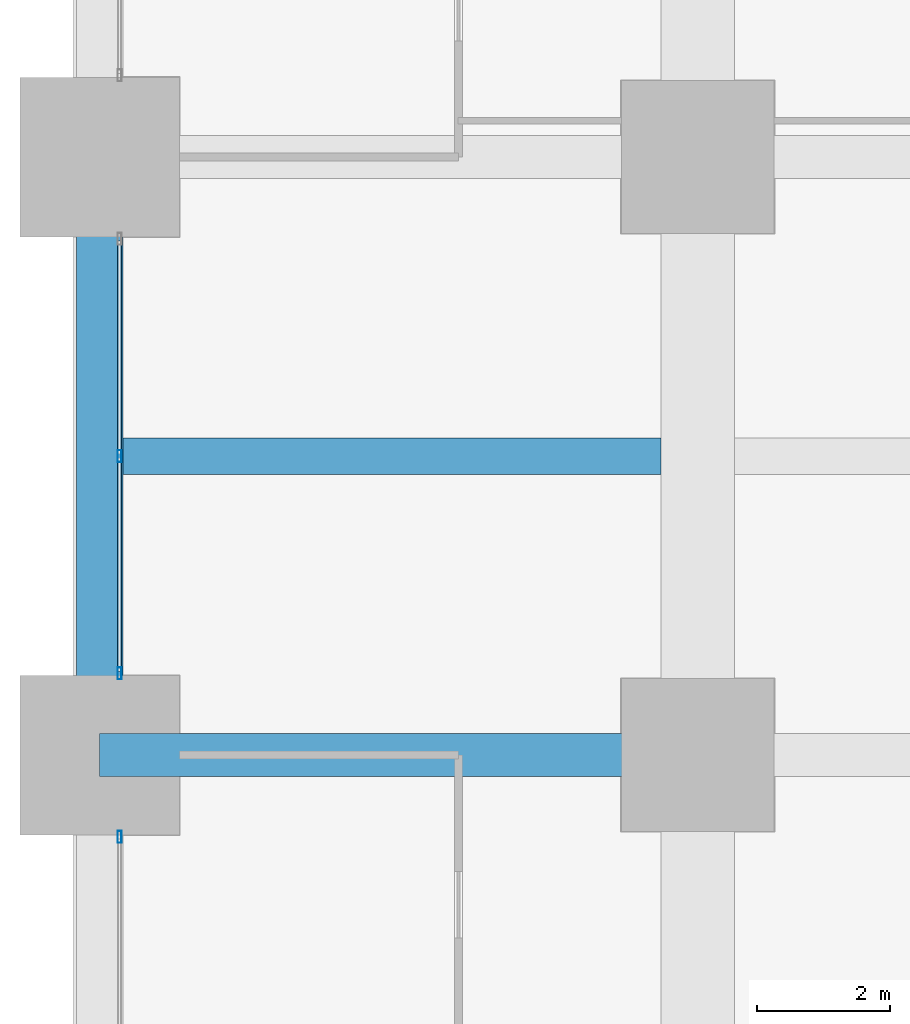
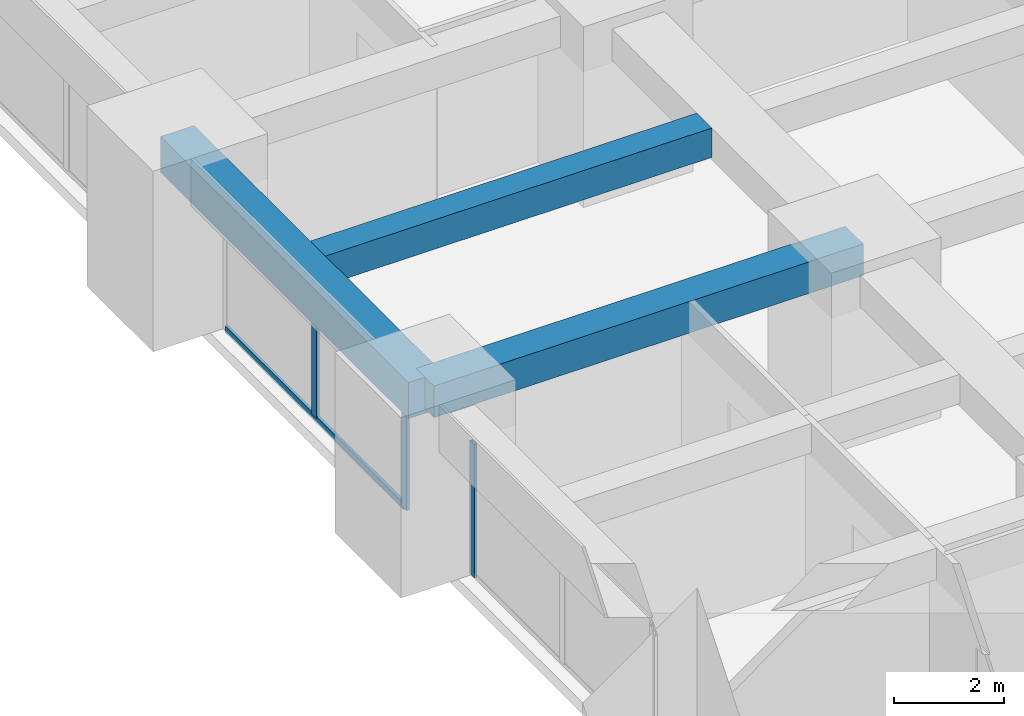
# One storey, part 11 of 44: 4 members, 3 beams, 2 elements without a shape of their own.
"""IFC4 building model written with IfcOpenShell, lengths in metres."""

import ifcopenshell
import ifcopenshell.guid

model = None  # the IFC model being written
_history = None  # IfcOwnerHistory: only IFC2X3 demands one
_inside = {}  # id of a spatial element -> (the spatial element, [elements in it])
_under = {}  # id of a project, library or spatial element -> (it, [spatial elements below it])
_declared = {}  # id of a project -> (the project, [libraries it declares])
_typed = {}  # id of a type object -> (the type object, [elements of that type])
_made_of = {}  # id of a material, layer set ... -> (it, [elements and type objects made of it])


def new_model(schema):
    """Start an empty IFC model of exactly this schema.

    Asked for "IFC4X3", IfcOpenShell would pick the latest addendum, in which some entities
    have other attributes; the version numbers below select the first issue.
    IFC2X3 requires an IfcOwnerHistory on every rooted entity: one is made here for all.
    """
    global model, _history
    if schema == "IFC4X3":
        model = ifcopenshell.file(schema_version=(4, 3, 0, 0))
    else:
        model = ifcopenshell.file(schema=schema)
    _inside.clear()
    _under.clear()
    _declared.clear()
    _typed.clear()
    _made_of.clear()
    _history = None
    if model.schema == "IFC2X3":
        org = make("IfcOrganization", Name="unknown")
        user = make(
            "IfcPersonAndOrganization",
            ThePerson=make("IfcPerson", FamilyName="unknown"),
            TheOrganization=org,
        )
        app = make(
            "IfcApplication",
            ApplicationDeveloper=org,
            Version="unknown",
            ApplicationFullName="unknown",
            ApplicationIdentifier="unknown",
        )
        _history = make(
            "IfcOwnerHistory",
            OwningUser=user,
            OwningApplication=app,
            ChangeAction="ADDED",
            CreationDate=0,
        )
    return model


def make(cls, **values):
    """One entity of the class cls with the attributes given. An attribute that is None is left unset."""
    return model.create_entity(
        cls, **{name: value for name, value in values.items() if value is not None}
    )


def rooted(cls, **values):
    """An entity with a GlobalId (a new one), such as an element, a storey or a relation."""
    return make(cls, GlobalId=ifcopenshell.guid.new(), OwnerHistory=_history, **values)


def si_unit(unit_type, name, prefix=None):
    """IfcSIUnit, for example si_unit("LENGTHUNIT", "METRE", prefix="MILLI")."""
    return make("IfcSIUnit", UnitType=unit_type, Prefix=prefix, Name=name)


def assignment(units):
    """IfcUnitAssignment: the units of a project."""
    return None if units is None else make("IfcUnitAssignment", Units=units)


def point(xyz):
    """IfcCartesianPoint."""
    return None if xyz is None else make("IfcCartesianPoint", Coordinates=xyz)


def direction(xyz):
    """IfcDirection."""
    return None if xyz is None else make("IfcDirection", DirectionRatios=xyz)


def frame(location, z_axis=None, x_axis=None):
    """IfcAxis2Placement3D, a coordinate frame: its origin and axes. An axis left out is left unset."""
    return make(
        "IfcAxis2Placement3D",
        Location=point(location),
        Axis=direction(z_axis),
        RefDirection=direction(x_axis),
    )


def frame_2d(location, x_axis=None):
    """IfcAxis2Placement2D, a coordinate frame in the plane: its origin and x axis."""
    return make(
        "IfcAxis2Placement2D", Location=point(location), RefDirection=direction(x_axis)
    )


def origin():
    """The frame at (0, 0, 0) with its axes left unset."""
    return frame((0.0, 0.0, 0.0))


def origin_2d():
    """The frame at (0, 0) in the plane with its x axis left unset."""
    return frame_2d((0.0, 0.0))


def place(relative_to, where):
    """IfcLocalPlacement: puts the frame where relative to a parent placement (None: the world)."""
    return make(
        "IfcLocalPlacement", PlacementRelTo=relative_to, RelativePlacement=where
    )


def context(
    kind, dimensions, precision=None, world=None, true_north=None, identifier=None
):
    """IfcGeometricRepresentationContext, for example the 3D "Model" context."""
    return make(
        "IfcGeometricRepresentationContext",
        ContextIdentifier=identifier,
        ContextType=kind,
        CoordinateSpaceDimension=dimensions,
        Precision=precision,
        WorldCoordinateSystem=world,
        TrueNorth=true_north,
    )


def subcontext(parent, identifier, kind, view, scale=None):
    """IfcGeometricRepresentationSubContext, for example "Body" below "Model"."""
    return make(
        "IfcGeometricRepresentationSubContext",
        ContextIdentifier=identifier,
        ContextType=kind,
        ParentContext=parent,
        TargetScale=scale,
        TargetView=view,
    )


def project(units=None, contexts=None):
    """IfcProject with its units and contexts."""
    return rooted(
        "IfcProject",
        Name="project",
        RepresentationContexts=contexts,
        UnitsInContext=assignment(units),
    )


def spatial(cls, under=None, at=None, **own):
    """A site, building, storey or space (cls), placed at a placement, below another one or the project."""
    s = rooted(cls, ObjectPlacement=at, **own)
    if under is not None:
        _under.setdefault(under.id(), (under, []))[1].append(s)
    return s


def profile(cls, at=None, kind="AREA", **sizes):
    """A parametric profile (cls). Its sizes go by their IFC names, for example OverallWidth=200.0."""
    return make(cls, ProfileType=kind, Position=at, **sizes)


def rectangle(**sizes):
    """IfcRectangleProfileDef."""
    return profile("IfcRectangleProfileDef", **sizes)


def hollow_rectangle(**sizes):
    """IfcRectangleHollowProfileDef."""
    return profile("IfcRectangleHollowProfileDef", **sizes)


def extrude(swept, where, along, depth):
    """IfcExtrudedAreaSolid: the profile swept, set in the frame where, extruded along a direction by depth."""
    return make(
        "IfcExtrudedAreaSolid",
        SweptArea=swept,
        Position=where,
        ExtrudedDirection=direction(along),
        Depth=depth,
    )


def shape(context_of_items, identifier, shape_type, items):
    """IfcShapeRepresentation: the items that make up one representation, for example the "Body"."""
    return make(
        "IfcShapeRepresentation",
        ContextOfItems=context_of_items,
        RepresentationIdentifier=identifier,
        RepresentationType=shape_type,
        Items=items,
    )


def material(Name=None, Category=None):
    """IfcMaterial."""
    return make("IfcMaterial", Name=Name, Category=Category)


def material_profile(
    of_material, cross_section, Name=None, Category=None, Priority=None
):
    """IfcMaterialProfile: a cross section and its material."""
    return make(
        "IfcMaterialProfile",
        Name=Name,
        Material=of_material,
        Profile=cross_section,
        Priority=Priority,
        Category=Category,
    )


def profile_set(profiles, Name=None, composite=None):
    """IfcMaterialProfileSet."""
    return make(
        "IfcMaterialProfileSet",
        Name=Name,
        MaterialProfiles=profiles,
        CompositeProfile=composite,
    )


def made_of(thing, what):
    """Note that an element or type object is made of a material, layer set ...; save() writes the relation."""
    if what is not None:
        _made_of.setdefault(what.id(), (what, []))[1].append(thing)
    return thing


def type_object(cls, material=None, **own):
    """A type object (cls), such as IfcWallType, which elements share."""
    return made_of(rooted(cls, **own), material)


def element(
    cls,
    number,
    at=None,
    inside=None,
    cuts=None,
    type_object=None,
    material=None,
    context=None,
    identifier="Body",
    shape_type=None,
    held_by="IfcProductDefinitionShape",
    body=None,
    shapes=None,
    **own,
):
    """One element of the class cls, such as IfcWall. Its Tag is "e" and its number.

    at: its placement. inside: the storey or other place that contains it. cuts: it is an
    opening in that element (IfcRelVoidsElement). A single representation is given by context,
    identifier, shape_type and body (its items); several are given by shapes. held_by: the class
    of the entity that holds the representations. save() writes the other relations.
    """
    e = rooted(cls, Tag="e%d" % number, ObjectPlacement=at, **own)
    if body is not None:
        shapes = [shape(context, identifier, shape_type, body)]
    if shapes is not None:
        e.Representation = make(held_by, Representations=shapes)
    if inside is not None:
        _inside.setdefault(inside.id(), (inside, []))[1].append(e)
    if cuts is not None:
        rooted(
            "IfcRelVoidsElement", RelatingBuildingElement=cuts, RelatedOpeningElement=e
        )
    if type_object is not None:
        _typed.setdefault(type_object.id(), (type_object, []))[1].append(e)
    return made_of(e, material)


def aggregate(whole, parts):
    """IfcRelAggregates: a whole, such as a stair, and the parts it consists of."""
    return rooted("IfcRelAggregates", RelatingObject=whole, RelatedObjects=parts)


def save(model, path):
    """Write the relations noted so far, then the file.

    IfcRelAggregates (storeys below a building ...), IfcRelContainedInSpatialStructure (elements
    in a storey), IfcRelDefinesByType, IfcRelAssociatesMaterial and IfcRelDeclares: one each for
    every whole, place, type object, material and project.
    """
    for whole, parts in _under.values():
        aggregate(whole, parts)
    for where, things in _inside.values():
        rooted(
            "IfcRelContainedInSpatialStructure",
            RelatedElements=things,
            RelatingStructure=where,
        )
    for kind, things in _typed.values():
        rooted("IfcRelDefinesByType", RelatedObjects=things, RelatingType=kind)
    for what, things in _made_of.values():
        rooted("IfcRelAssociatesMaterial", RelatedObjects=things, RelatingMaterial=what)
    for by, libraries in _declared.values():
        rooted("IfcRelDeclares", RelatingContext=by, RelatedDefinitions=libraries)
    model.write(path)


model = new_model("IFC4")

# Units and contexts
model_context = context("Model", 3, precision=1e-05, world=origin(), true_north=direction((0.0, 1.0)))
body_context = subcontext(model_context, "Body", "Model", "MODEL_VIEW")
ifc_project = project(units=[si_unit("LENGTHUNIT", "METRE"), si_unit("AREAUNIT", "SQUARE_METRE"), si_unit("VOLUMEUNIT", "CUBIC_METRE"), si_unit("PLANEANGLEUNIT", "RADIAN"), si_unit("MASSUNIT", "GRAM", prefix="KILO")], contexts=[model_context])

# Site, building, storey
site_placement = place(None, origin())
site = spatial("IfcSite", under=ifc_project, at=site_placement, CompositionType="ELEMENT")
building_placement = place(site_placement, origin())
building = spatial("IfcBuilding", under=site, at=building_placement, Name="Zorevar Civic Tower", CompositionType="ELEMENT")
storey_placement = place(building_placement, frame((0.0, 0.0, 31.800048828125)))
storey = spatial("IfcBuildingStorey", under=building, at=storey_placement, Name="L07", CompositionType="ELEMENT", Elevation=31.800048828125)

# Beams
ifc_material_1 = material(Name="Concrete C50/60", Category="concrete")
ifc_material_profile_1 = material_profile(ifc_material_1, rectangle(XDim=0.550048828125, YDim=0.64990234375, at=origin_2d()), Name="RC 550x650")
ifc_profile_set_1 = profile_set([ifc_material_profile_1], Name="Concrete C50/60")
beam_type_1 = type_object("IfcBeamType", Name="Beam RC 550x650", PredefinedType="BEAM", material=ifc_profile_set_1)
beam_1_placement = place(storey_placement, frame((0.35009765625, 31.5, 3.425048828125), z_axis=(1.0, 0.0, 0.0), x_axis=(0.0, 1.0, 0.0)))
element("IfcBeam", 1, at=beam_1_placement, inside=storey, type_object=beam_type_1, Name="Secondary beam L08", PredefinedType="BEAM", context=body_context, shape_type="SweptSolid", body=[
    extrude(rectangle(XDim=0.550048828125, YDim=0.64990234375, at=origin_2d()), origin(), (0.0, 0.0, 1.0), 8.099853515625),
])
ifc_material_2 = material(Name="Concrete C50/60", Category="concrete")
ifc_material_profile_2 = material_profile(ifc_material_2, rectangle(XDim=0.64990234375, YDim=0.699951171875, at=origin_2d()), Name="RC 650x700")
ifc_profile_set_2 = profile_set([ifc_material_profile_2], Name="Concrete C50/60")
beam_type_2 = type_object("IfcBeamType", Name="Beam RC 650x700", PredefinedType="BEAM", material=ifc_profile_set_2)
beam_2_placement = place(storey_placement, frame((0.0, 27.0, 3.39990234375), z_axis=(1.0, 0.0, 0.0), x_axis=(0.0, 1.0, 0.0)))
element("IfcBeam", 2, at=beam_2_placement, inside=storey, type_object=beam_type_2, Name="Girder L08", PredefinedType="BEAM", context=body_context, shape_type="SweptSolid", body=[
    extrude(rectangle(XDim=0.64990234375, YDim=0.699951171875, at=origin_2d()), origin(), (0.0, 0.0, 1.0), 9.0),
])

# Curtain wall, member
ifc_material_3 = material(Name="Dark grey solar-control glass in black aluminium frame", Category="aluminium")
curtain_wall_type = type_object("IfcCurtainWallType", Name="Curtain wall CW2 low zone", PredefinedType="NOTDEFINED", material=ifc_material_3)
curtain_wall_1_placement = place(storey_placement, origin())
curtain_wall_1 = element("IfcCurtainWall", 3, at=curtain_wall_1_placement, inside=storey, type_object=curtain_wall_type, Name="CW2 L07", PredefinedType="NOTDEFINED")
ifc_material_4 = material(Name="Aluminium, black anodised", Category="aluminium")
ifc_material_profile_3 = material_profile(ifc_material_4, hollow_rectangle(XDim=0.06005859375, YDim=0.179931640625, WallThickness=0.00390625, at=origin_2d()), Name="AL 180x60x4")
ifc_profile_set_3 = profile_set([ifc_material_profile_3], Name="Aluminium, black anodised")
member_type_1 = type_object("IfcMemberType", Name="CW2 mullion AL 180x60x4", PredefinedType="MULLION", material=ifc_profile_set_3)
member_1_placement = place(storey_placement, frame((0.300048828125, 25.77001953125, 0.0), z_axis=(0.0, 0.0, 1.0), x_axis=(-1.0, 0.0, 0.0)))
member_1 = element("IfcMember", 4, at=member_1_placement, type_object=member_type_1, Name="CW2 mullion 3", PredefinedType="MULLION", context=body_context, shape_type="SweptSolid", body=[
    extrude(hollow_rectangle(XDim=0.06005859375, YDim=0.179931640625, WallThickness=0.00390625, at=origin_2d()), origin(), (0.0, 0.0, 1.0), 2.949951171875),
])
aggregate(curtain_wall_1, [member_1])

# Curtain wall, members
curtain_wall_2_placement = place(storey_placement, origin())
curtain_wall_2 = element("IfcCurtainWall", 5, at=curtain_wall_2_placement, inside=storey, type_object=curtain_wall_type, Name="CW2 L07", PredefinedType="NOTDEFINED")
member_2_placement = place(storey_placement, frame((0.300048828125, 28.22998046875, 0.0), z_axis=(0.0, 0.0, 1.0), x_axis=(-1.0, 0.0, 0.0)))
member_2 = element("IfcMember", 6, at=member_2_placement, type_object=member_type_1, Name="CW2 mullion 1", PredefinedType="MULLION", context=body_context, shape_type="SweptSolid", body=[
    extrude(hollow_rectangle(XDim=0.06005859375, YDim=0.179931640625, WallThickness=0.00390625, at=origin_2d()), origin(), (0.0, 0.0, 1.0), 2.949951171875),
])
member_3_placement = place(storey_placement, frame((0.300048828125, 31.5, 0.06005859375), z_axis=(0.0, 0.0, 1.0), x_axis=(-1.0, 0.0, 0.0)))
member_3 = element("IfcMember", 7, at=member_3_placement, type_object=member_type_1, Name="CW2 mullion 2", PredefinedType="MULLION", context=body_context, shape_type="SweptSolid", body=[
    extrude(hollow_rectangle(XDim=0.06005859375, YDim=0.179931640625, WallThickness=0.00390625, at=origin_2d()), origin(), (0.0, 0.0, 1.0), 2.889892578125),
])
ifc_material_5 = material(Name="Aluminium, black anodised", Category="aluminium")
ifc_material_profile_4 = material_profile(ifc_material_5, hollow_rectangle(XDim=0.06005859375, YDim=0.14990234375, WallThickness=0.00390625, at=origin_2d()), Name="AL 150x60x4")
ifc_profile_set_4 = profile_set([ifc_material_profile_4], Name="Aluminium, black anodised")
member_type_2 = type_object("IfcMemberType", Name="CW2 transom AL 150x60x4", PredefinedType="USERDEFINED", material=ifc_profile_set_4)
member_4_placement = place(storey_placement, frame((0.300048828125, 28.260009765625, 0.030029296875), z_axis=(0.0, 1.0, 0.0), x_axis=(-1.0, 0.0, 0.0)))
member_4 = element("IfcMember", 8, at=member_4_placement, type_object=member_type_2, Name="CW2 sill transom", ObjectType="TRANSOM", PredefinedType="USERDEFINED", context=body_context, shape_type="SweptSolid", body=[
    extrude(hollow_rectangle(XDim=0.06005859375, YDim=0.14990234375, WallThickness=0.00390625, at=origin_2d()), origin(), (0.0, 0.0, 1.0), 6.47998046875),
])
aggregate(curtain_wall_2, [member_2, member_3, member_4])

# Beam
ifc_material_6 = material(Name="Concrete C50/60", Category="concrete")
ifc_material_profile_5 = material_profile(ifc_material_6, rectangle(XDim=0.699951171875, YDim=0.800048828125, at=origin_2d()), Name="RC 700x800")
ifc_profile_set_5 = profile_set([ifc_material_profile_5], Name="Concrete C50/60")
beam_type_3 = type_object("IfcBeamType", Name="Edge beam RC 700x800", PredefinedType="SPANDREL", material=ifc_profile_set_5)
beam_3_placement = place(storey_placement, frame((0.0, 27.0, 3.349853515625), z_axis=(0.0, 1.0, 0.0), x_axis=(-1.0, 0.0, 0.0)))
element("IfcBeam", 9, at=beam_3_placement, inside=storey, type_object=beam_type_3, Name="Edge beam L08", PredefinedType="SPANDREL", context=body_context, shape_type="SweptSolid", body=[
    extrude(rectangle(XDim=0.699951171875, YDim=0.800048828125, at=origin_2d()), origin(), (0.0, 0.0, 1.0), 9.0),
])

save(model, "model.ifc")
